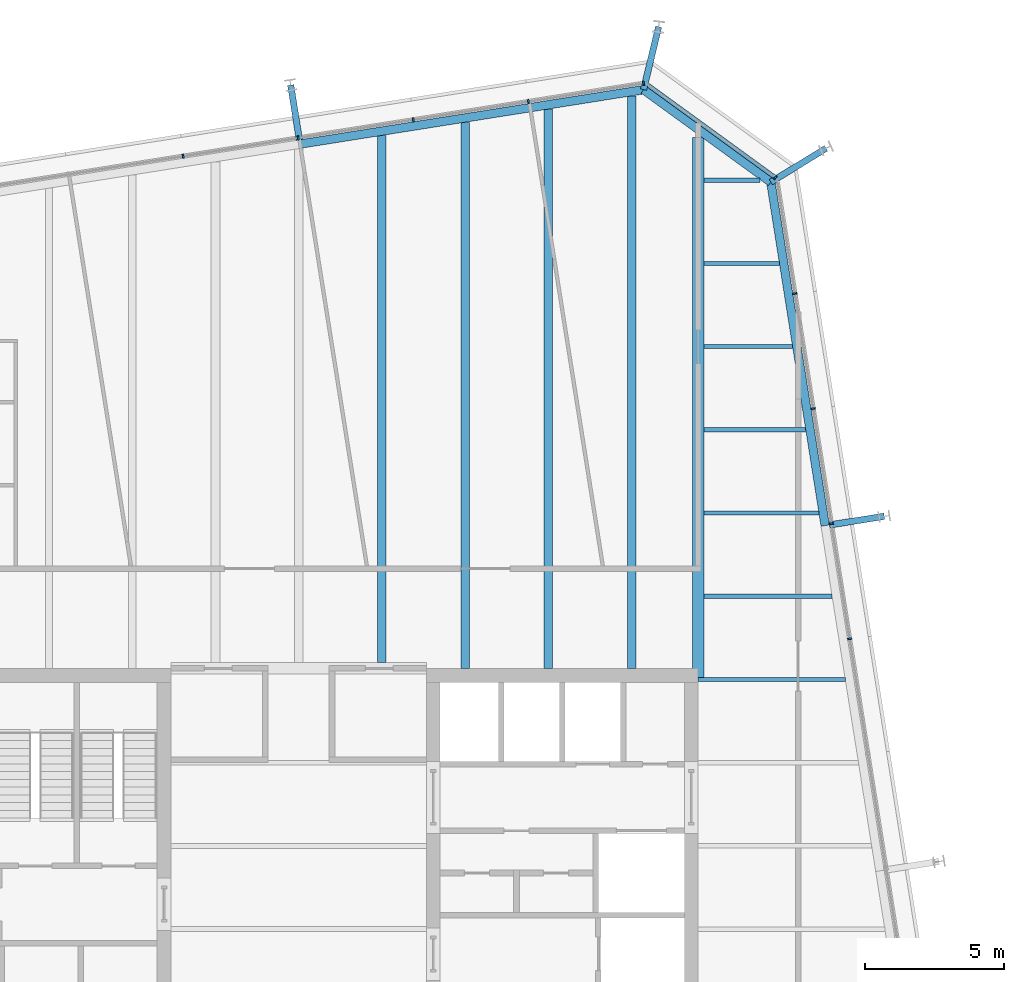
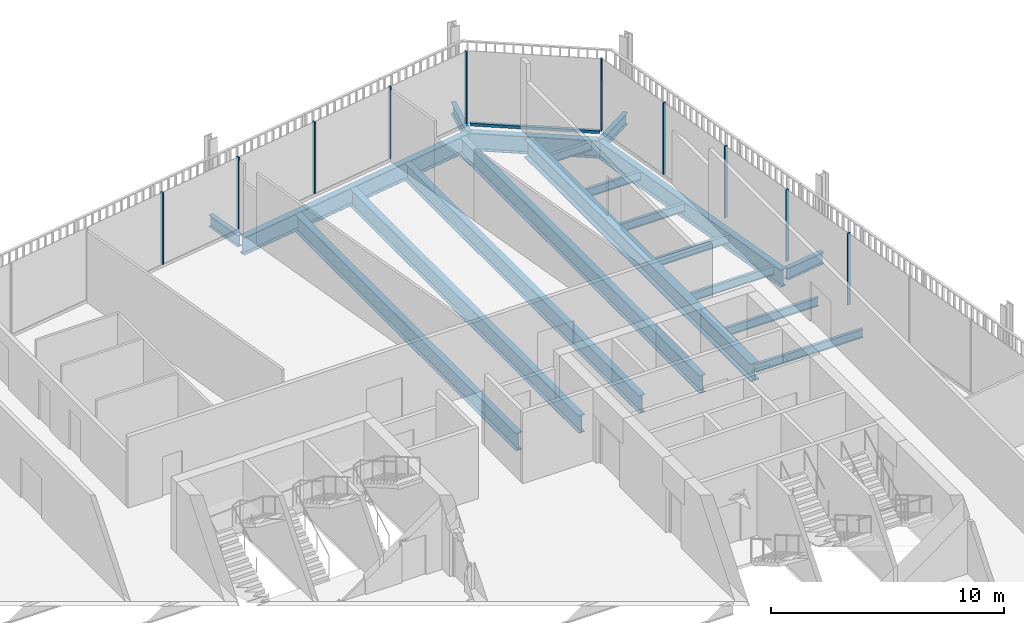
# One storey, part 14 of 20: 19 beams, 11 members, 3 elements without a shape of their own.
"""IFC4 building model written with IfcOpenShell, lengths in metres."""

from ifc_helpers import new_model, si_unit, direction, frame, origin, origin_2d, place, context, subcontext, project, spatial, rectangle, i_section, extrude, material, layer, layer_set, material_profile, profile_set, type_object, element, aggregate, save


model = new_model("IFC4")

# Units and contexts
model_context = context("Model", 3, precision=1e-05, world=origin(), true_north=direction((0.0, 1.0)))
body_context = subcontext(model_context, "Body", "Model", "MODEL_VIEW")
ifc_project = project(units=[si_unit("LENGTHUNIT", "METRE"), si_unit("AREAUNIT", "SQUARE_METRE"), si_unit("VOLUMEUNIT", "CUBIC_METRE"), si_unit("PLANEANGLEUNIT", "RADIAN"), si_unit("MASSUNIT", "GRAM", prefix="KILO")], contexts=[model_context])

# Site, building, storey
site_placement = place(None, origin())
site = spatial("IfcSite", under=ifc_project, at=site_placement, CompositionType="ELEMENT")
building_placement = place(site_placement, origin())
building = spatial("IfcBuilding", under=site, at=building_placement, Name="Millrace Tower", CompositionType="ELEMENT")
storey_placement = place(building_placement, frame((0.0, 0.0, 216.39990234375)))
storey = spatial("IfcBuildingStorey", under=building, at=storey_placement, Name="L49", CompositionType="ELEMENT", Elevation=216.39990234375)

# Curtain wall, members
ifc_material_1 = material(Name="Aluminium and glass", Category="aluminium")
ifc_layer = layer(ifc_material_1, 0.14990234375)
ifc_layer_set = layer_set([ifc_layer], Name="Aluminium and glass")
curtain_wall_type = type_object("IfcCurtainWallType", Name="CW-1 office vision curtain wall", PredefinedType="NOTDEFINED", material=ifc_layer_set)
placement = place(storey_placement, origin())
curtain_wall_1 = element("IfcCurtainWall", 1, at=placement, inside=storey, type_object=curtain_wall_type, Name="Curtain wall D-F04 L49", PredefinedType="NOTDEFINED")
ifc_material_2 = material(Name="Aluminium", Category="aluminium")
ifc_material_profile_1 = material_profile(ifc_material_2, rectangle(XDim=0.06494140625, YDim=0.14990234375, at=origin_2d()))
ifc_profile_set_1 = profile_set([ifc_material_profile_1], Name="Aluminium")
member_type_1 = type_object("IfcMemberType", Name="CW-1 office vision curtain wall mullion", PredefinedType="MULLION", material=ifc_profile_set_1)
member_1_placement = place(storey_placement, frame((19.857421875, 10.466064453125, 0.14013671875), z_axis=(0.0, 0.0, 1.0), x_axis=(-0.156434471884, 0.987688339511, 0.0)))
member_1 = element("IfcMember", 2, at=member_1_placement, type_object=member_type_1, Name="CW1 mullion D-F04.6", PredefinedType="MULLION", context=body_context, shape_type="SweptSolid", body=[
    extrude(rectangle(XDim=0.06494140625, YDim=0.14990234375, at=origin_2d()), origin(), (0.0, 0.0, 1.0), 3.760009765625),
])
member_2_placement = place(storey_placement, frame((19.2001953125, 14.6142578125, 0.14013671875), z_axis=(0.0, 0.0, 1.0), x_axis=(-0.156434471884, 0.987688339511, 0.0)))
member_2 = element("IfcMember", 3, at=member_2_placement, type_object=member_type_1, Name="CW1 mullion D-F04.7", PredefinedType="MULLION", context=body_context, shape_type="SweptSolid", body=[
    extrude(rectangle(XDim=0.06494140625, YDim=0.14990234375, at=origin_2d()), origin(), (0.0, 0.0, 1.0), 3.760009765625),
])
member_3_placement = place(storey_placement, frame((18.543212890625, 18.762451171875, 0.14013671875), z_axis=(0.0, 0.0, 1.0), x_axis=(-0.156434471884, 0.987688339511, 0.0)))
member_3 = element("IfcMember", 4, at=member_3_placement, type_object=member_type_1, Name="CW1 mullion D-F04.8", PredefinedType="MULLION", context=body_context, shape_type="SweptSolid", body=[
    extrude(rectangle(XDim=0.06494140625, YDim=0.14990234375, at=origin_2d()), origin(), (0.0, 0.0, 1.0), 3.760009765625),
])
member_4_placement = place(storey_placement, frame((17.88623046875, 22.910888671875, 0.14013671875), z_axis=(0.0, 0.0, 1.0), x_axis=(-0.156434471884, 0.987688339511, 0.0)))
member_4 = element("IfcMember", 5, at=member_4_placement, type_object=member_type_1, Name="CW1 mullion D-F04.9", PredefinedType="MULLION", context=body_context, shape_type="SweptSolid", body=[
    extrude(rectangle(XDim=0.06494140625, YDim=0.14990234375, at=origin_2d()), origin(), (0.0, 0.0, 1.0), 3.760009765625),
])
aggregate(curtain_wall_1, [member_1, member_2, member_3, member_4])

# Curtain wall, member
curtain_wall_2 = element("IfcCurtainWall", 6, at=placement, inside=storey, type_object=curtain_wall_type, Name="Curtain wall D-F05 L49", PredefinedType="NOTDEFINED")
member_5_placement = place(storey_placement, frame((17.177978515625, 27.094970703125, 0.14013671875), z_axis=(0.0, 0.0, 1.0), x_axis=(-0.809016955361, 0.587785305991, 0.0)))
member_5 = element("IfcMember", 7, at=member_5_placement, type_object=member_type_1, Name="CW1 mullion D-F05.1", PredefinedType="MULLION", context=body_context, shape_type="SweptSolid", body=[
    extrude(rectangle(XDim=0.06494140625, YDim=0.14990234375, at=origin_2d()), origin(), (0.0, 0.0, 1.0), 3.760009765625),
])

# Curtain wall, members
curtain_wall_3 = element("IfcCurtainWall", 8, at=placement, inside=storey, type_object=curtain_wall_type, Name="Curtain wall D-F06 L49", PredefinedType="NOTDEFINED")
member_6_placement = place(storey_placement, frame((12.425537109375, 30.492431640625, 0.14013671875), z_axis=(0.0, 0.0, 1.0), x_axis=(-0.987688339511, -0.156434471884, 0.0)))
member_6 = element("IfcMember", 9, at=member_6_placement, type_object=member_type_1, Name="CW1 mullion D-F06.1", PredefinedType="MULLION", context=body_context, shape_type="SweptSolid", body=[
    extrude(rectangle(XDim=0.06494140625, YDim=0.14990234375, at=origin_2d()), origin(), (0.0, 0.0, 1.0), 3.760009765625),
])
member_7_placement = place(storey_placement, frame((8.277099609375, 29.83544921875, 0.14013671875), z_axis=(0.0, 0.0, 1.0), x_axis=(-0.987688339511, -0.156434471884, 0.0)))
member_7 = element("IfcMember", 10, at=member_7_placement, type_object=member_type_1, Name="CW1 mullion D-F06.2", PredefinedType="MULLION", context=body_context, shape_type="SweptSolid", body=[
    extrude(rectangle(XDim=0.06494140625, YDim=0.14990234375, at=origin_2d()), origin(), (0.0, 0.0, 1.0), 3.760009765625),
])
member_8_placement = place(storey_placement, frame((4.12890625, 29.178466796875, 0.14013671875), z_axis=(0.0, 0.0, 1.0), x_axis=(-0.987688339511, -0.156434471884, 0.0)))
member_8 = element("IfcMember", 11, at=member_8_placement, type_object=member_type_1, Name="CW1 mullion D-F06.3", PredefinedType="MULLION", context=body_context, shape_type="SweptSolid", body=[
    extrude(rectangle(XDim=0.06494140625, YDim=0.14990234375, at=origin_2d()), origin(), (0.0, 0.0, 1.0), 3.760009765625),
])
member_9_placement = place(storey_placement, frame((-0.019287109375, 28.521240234375, 0.14013671875), z_axis=(0.0, 0.0, 1.0), x_axis=(-0.987688339511, -0.156434471884, 0.0)))
member_9 = element("IfcMember", 12, at=member_9_placement, type_object=member_type_1, Name="CW1 mullion D-F06.4", PredefinedType="MULLION", context=body_context, shape_type="SweptSolid", body=[
    extrude(rectangle(XDim=0.06494140625, YDim=0.14990234375, at=origin_2d()), origin(), (0.0, 0.0, 1.0), 3.760009765625),
])
member_10_placement = place(storey_placement, frame((-4.167724609375, 27.8642578125, 0.14013671875), z_axis=(0.0, 0.0, 1.0), x_axis=(-0.987688339511, -0.156434471884, 0.0)))
member_10 = element("IfcMember", 13, at=member_10_placement, type_object=member_type_1, Name="CW1 mullion D-F06.5", PredefinedType="MULLION", context=body_context, shape_type="SweptSolid", body=[
    extrude(rectangle(XDim=0.06494140625, YDim=0.14990234375, at=origin_2d()), origin(), (0.0, 0.0, 1.0), 3.760009765625),
])
aggregate(curtain_wall_3, [member_6, member_7, member_8, member_9, member_10])

# Member
ifc_material_3 = material(Name="Aluminium", Category="aluminium")
ifc_material_profile_2 = material_profile(ifc_material_3, rectangle(XDim=0.14990234375, YDim=0.139892578125, at=origin_2d()))
ifc_profile_set_2 = profile_set([ifc_material_profile_2], Name="Aluminium")
member_type_2 = type_object("IfcMemberType", Name="CW-1 office vision curtain wall transom", PredefinedType="USERDEFINED", material=ifc_profile_set_2)
member_11_placement = place(storey_placement, frame((17.123291015625, 27.134765625, 0.070068359375), z_axis=(-0.809018869857, 0.587782670904, 0.0), x_axis=(-0.587782670904, -0.809018869857, 0.0)))
member_11 = element("IfcMember", 14, at=member_11_placement, type_object=member_type_2, Name="CW1 transom D-F05.1", ObjectType="TRANSOM", PredefinedType="USERDEFINED", context=body_context, shape_type="SweptSolid", body=[
    extrude(rectangle(XDim=0.14990234375, YDim=0.139892578125, at=origin_2d()), origin(), (0.0, 0.0, 1.0), 5.59814453125),
])

aggregate(curtain_wall_2, [member_5, member_11])

# Beams
ifc_material_4 = material(Name="Steel ASTM A992 Grade 50", Category="steel")
ifc_material_profile_3 = material_profile(ifc_material_4, i_section(OverallWidth=0.15234375, OverallDepth=0.449462890625, WebThickness=0.007568359375, FlangeThickness=0.0107421875, FilletRadius=0.01025390625, at=origin_2d()))
ifc_profile_set_3 = profile_set([ifc_material_profile_3], Name="Steel ASTM A992 Grade 50")
beam_type_1 = type_object("IfcBeamType", Name="Floor beam W18x35", PredefinedType="JOIST", material=ifc_profile_set_3)
beam_1_placement = place(storey_placement, frame((14.39990234375, 9.0, -0.384765625), z_axis=(1.0, 0.0, 0.0), x_axis=(0.0, 1.0, 0.0)))
element("IfcBeam", 15, at=beam_1_placement, inside=storey, type_object=beam_type_1, Name="BM-D-L49-S1-S024", PredefinedType="JOIST", context=body_context, shape_type="SweptSolid", body=[
    extrude(i_section(OverallWidth=0.15234375, OverallDepth=0.449462890625, WebThickness=0.007568359375, FlangeThickness=0.0107421875, FilletRadius=0.01025390625, at=origin_2d()), origin(), (0.0, 0.0, 1.0), 5.302490234375),
])
beam_2_placement = place(storey_placement, frame((14.609619140625, 12.0, -0.384765625), z_axis=(1.0, 0.0, 0.0), x_axis=(0.0, 1.0, 0.0)))
element("IfcBeam", 16, at=beam_2_placement, inside=storey, type_object=beam_type_1, Name="BM-D-L49-S1-S026", PredefinedType="JOIST", context=body_context, shape_type="SweptSolid", body=[
    extrude(i_section(OverallWidth=0.15234375, OverallDepth=0.449462890625, WebThickness=0.007568359375, FlangeThickness=0.0107421875, FilletRadius=0.01025390625, at=origin_2d()), origin(), (0.0, 0.0, 1.0), 4.61767578125),
])
beam_3_placement = place(storey_placement, frame((14.609619140625, 15.0, -0.384765625), z_axis=(1.0, 0.0, 0.0), x_axis=(0.0, 1.0, 0.0)))
element("IfcBeam", 17, at=beam_3_placement, inside=storey, type_object=beam_type_1, Name="BM-D-L49-S1-S028", PredefinedType="JOIST", context=body_context, shape_type="SweptSolid", body=[
    extrude(i_section(OverallWidth=0.15234375, OverallDepth=0.449462890625, WebThickness=0.007568359375, FlangeThickness=0.0107421875, FilletRadius=0.01025390625, at=origin_2d()), origin(), (0.0, 0.0, 1.0), 4.142578125),
])
beam_4_placement = place(storey_placement, frame((14.609619140625, 18.0, -0.384765625), z_axis=(1.0, 0.0, 0.0), x_axis=(0.0, 1.0, 0.0)))
element("IfcBeam", 18, at=beam_4_placement, inside=storey, type_object=beam_type_1, Name="BM-D-L49-S1-S030", PredefinedType="JOIST", context=body_context, shape_type="SweptSolid", body=[
    extrude(i_section(OverallWidth=0.15234375, OverallDepth=0.449462890625, WebThickness=0.007568359375, FlangeThickness=0.0107421875, FilletRadius=0.01025390625, at=origin_2d()), origin(), (0.0, 0.0, 1.0), 3.667236328125),
])
beam_5_placement = place(storey_placement, frame((14.609619140625, 21.0, -0.384765625), z_axis=(1.0, 0.0, 0.0), x_axis=(0.0, 1.0, 0.0)))
element("IfcBeam", 19, at=beam_5_placement, inside=storey, type_object=beam_type_1, Name="BM-D-L49-S1-S032", PredefinedType="JOIST", context=body_context, shape_type="SweptSolid", body=[
    extrude(i_section(OverallWidth=0.15234375, OverallDepth=0.449462890625, WebThickness=0.007568359375, FlangeThickness=0.0107421875, FilletRadius=0.01025390625, at=origin_2d()), origin(), (0.0, 0.0, 1.0), 3.192138671875),
])
beam_6_placement = place(storey_placement, frame((14.609619140625, 24.0, -0.384765625), z_axis=(1.0, 0.0, 0.0), x_axis=(0.0, 1.0, 0.0)))
element("IfcBeam", 20, at=beam_6_placement, inside=storey, type_object=beam_type_1, Name="BM-D-L49-S1-S034", PredefinedType="JOIST", context=body_context, shape_type="SweptSolid", body=[
    extrude(i_section(OverallWidth=0.15234375, OverallDepth=0.449462890625, WebThickness=0.007568359375, FlangeThickness=0.0107421875, FilletRadius=0.01025390625, at=origin_2d()), origin(), (0.0, 0.0, 1.0), 2.717041015625),
])
beam_7_placement = place(storey_placement, frame((14.609619140625, 27.0, -0.384765625), z_axis=(1.0, 0.0, 0.0), x_axis=(0.0, 1.0, 0.0)))
element("IfcBeam", 21, at=beam_7_placement, inside=storey, type_object=beam_type_1, Name="BM-D-L49-S1-S035", PredefinedType="JOIST", context=body_context, shape_type="SweptSolid", body=[
    extrude(i_section(OverallWidth=0.15234375, OverallDepth=0.449462890625, WebThickness=0.007568359375, FlangeThickness=0.0107421875, FilletRadius=0.01025390625, at=origin_2d()), origin(), (0.0, 0.0, 1.0), 2.020751953125),
])
ifc_material_5 = material(Name="Steel ASTM A992 Grade 50", Category="steel")
ifc_material_profile_4 = material_profile(ifc_material_5, i_section(OverallWidth=0.307373046875, OverallDepth=0.927001953125, WebThickness=0.01953125, FlangeThickness=0.031982421875, FilletRadius=0.01904296875, at=origin_2d()))
ifc_profile_set_4 = profile_set([ifc_material_profile_4], Name="Steel ASTM A992 Grade 50")
beam_type_2 = type_object("IfcBeamType", Name="Floor beam W36x194", PredefinedType="JOIST", material=ifc_profile_set_4)
beam_8_placement = place(storey_placement, frame((3.0, 9.609619140625, -0.62353515625), z_axis=(0.0, 1.0, 0.0), x_axis=(-1.0, 0.0, 0.0)))
element("IfcBeam", 22, at=beam_8_placement, inside=storey, type_object=beam_type_2, Name="BM-D-L49-S1-S046", PredefinedType="JOIST", context=body_context, shape_type="SweptSolid", body=[
    extrude(i_section(OverallWidth=0.307373046875, OverallDepth=0.927001953125, WebThickness=0.01953125, FlangeThickness=0.031982421875, FilletRadius=0.01904296875, at=origin_2d()), origin(), (0.0, 0.0, 1.0), 19.0029296875),
])
beam_9_placement = place(storey_placement, frame((6.0, 9.39990234375, -0.62353515625), z_axis=(0.0, 1.0, 0.0), x_axis=(-1.0, 0.0, 0.0)))
element("IfcBeam", 23, at=beam_9_placement, inside=storey, type_object=beam_type_2, Name="BM-D-L49-S1-S048", PredefinedType="JOIST", context=body_context, shape_type="SweptSolid", body=[
    extrude(i_section(OverallWidth=0.307373046875, OverallDepth=0.927001953125, WebThickness=0.01953125, FlangeThickness=0.031982421875, FilletRadius=0.01904296875, at=origin_2d()), origin(), (0.0, 0.0, 1.0), 19.687744140625),
])
beam_10_placement = place(storey_placement, frame((9.0, 9.39990234375, -0.62353515625), z_axis=(0.0, 1.0, 0.0), x_axis=(-1.0, 0.0, 0.0)))
element("IfcBeam", 24, at=beam_10_placement, inside=storey, type_object=beam_type_2, Name="BM-D-L49-S1-S050", PredefinedType="JOIST", context=body_context, shape_type="SweptSolid", body=[
    extrude(i_section(OverallWidth=0.307373046875, OverallDepth=0.927001953125, WebThickness=0.01953125, FlangeThickness=0.031982421875, FilletRadius=0.01904296875, at=origin_2d()), origin(), (0.0, 0.0, 1.0), 20.162841796875),
])
beam_11_placement = place(storey_placement, frame((12.0, 9.39990234375, -0.62353515625), z_axis=(0.0, 1.0, 0.0), x_axis=(-1.0, 0.0, 0.0)))
element("IfcBeam", 25, at=beam_11_placement, inside=storey, type_object=beam_type_2, Name="BM-D-L49-S1-S052", PredefinedType="JOIST", context=body_context, shape_type="SweptSolid", body=[
    extrude(i_section(OverallWidth=0.307373046875, OverallDepth=0.927001953125, WebThickness=0.01953125, FlangeThickness=0.031982421875, FilletRadius=0.01904296875, at=origin_2d()), origin(), (0.0, 0.0, 1.0), 20.637939453125),
])
ifc_material_6 = material(Name="Steel ASTM A992 Grade 50", Category="steel")
ifc_material_profile_5 = material_profile(ifc_material_6, i_section(OverallWidth=0.424072265625, OverallDepth=0.947509765625, WebThickness=0.02392578125, FlangeThickness=0.042724609375, FilletRadius=0.024169921875, at=origin_2d()))
ifc_profile_set_5 = profile_set([ifc_material_profile_5], Name="Steel ASTM A992 Grade 50")
beam_type_3 = type_object("IfcBeamType", Name="Girder medium span W36x302", PredefinedType="BEAM", material=ifc_profile_set_5)
beam_12_placement = place(storey_placement, frame((14.39990234375, 9.080078125, -0.633544921875), z_axis=(0.0, 1.0, 0.0), x_axis=(-1.0, 0.0, 0.0)))
element("IfcBeam", 26, at=beam_12_placement, inside=storey, type_object=beam_type_3, Name="BM-D-L49-S1-G056", PredefinedType="BEAM", context=body_context, shape_type="SweptSolid", body=[
    extrude(i_section(OverallWidth=0.424072265625, OverallDepth=0.947509765625, WebThickness=0.02392578125, FlangeThickness=0.042724609375, FilletRadius=0.024169921875, at=origin_2d()), origin(), (0.0, 0.0, 1.0), 19.460693359375),
])
ifc_material_7 = material(Name="Steel ASTM A992 Grade 50", Category="steel")
ifc_material_profile_6 = material_profile(ifc_material_7, i_section(OverallWidth=0.23046875, OverallDepth=0.6171875, WebThickness=0.01318359375, FlangeThickness=0.022216796875, FilletRadius=0.012939453125, at=origin_2d()))
ifc_profile_set_6 = profile_set([ifc_material_profile_6], Name="Steel ASTM A992 Grade 50")
beam_type_4 = type_object("IfcBeamType", Name="Link beam W24x94", PredefinedType="BEAM", material=ifc_profile_set_6)
beam_13_placement = place(storey_placement, frame((0.0244140625, 28.452392578125, -0.468505859375), z_axis=(-0.15637629034, 0.987697552806, 0.0), x_axis=(-0.987697552806, -0.15637629034, 0.0)))
element("IfcBeam", 27, at=beam_13_placement, inside=storey, type_object=beam_type_4, Name="LNK-D-L49-S1-07", PredefinedType="BEAM", context=body_context, shape_type="SweptSolid", body=[
    extrude(i_section(OverallWidth=0.23046875, OverallDepth=0.6171875, WebThickness=0.01318359375, FlangeThickness=0.022216796875, FilletRadius=0.012939453125, at=origin_2d()), origin(), (0.0, 0.0, 1.0), 2.0),
])
beam_14_placement = place(storey_placement, frame((12.430419921875, 30.26171875, -0.468505859375), z_axis=(0.233456138164, 0.972367333652, 0.0), x_axis=(-0.972367333652, 0.233456138164, 0.0)))
element("IfcBeam", 28, at=beam_14_placement, inside=storey, type_object=beam_type_4, Name="LNK-D-L49-S1-08", PredefinedType="BEAM", context=body_context, shape_type="SweptSolid", body=[
    extrude(i_section(OverallWidth=0.23046875, OverallDepth=0.6171875, WebThickness=0.01318359375, FlangeThickness=0.022216796875, FilletRadius=0.012939453125, at=origin_2d()), origin(), (0.0, 0.0, 1.0), 2.3310546875),
])
beam_15_placement = place(storey_placement, frame((17.018310546875, 26.928466796875, -0.468505859375), z_axis=(0.852659946142, 0.5224662824, 0.0), x_axis=(-0.5224662824, 0.852659946142, 0.0)))
element("IfcBeam", 29, at=beam_15_placement, inside=storey, type_object=beam_type_4, Name="LNK-D-L49-S1-09", PredefinedType="BEAM", context=body_context, shape_type="SweptSolid", body=[
    extrude(i_section(OverallWidth=0.23046875, OverallDepth=0.6171875, WebThickness=0.01318359375, FlangeThickness=0.022216796875, FilletRadius=0.012939453125, at=origin_2d()), origin(), (0.0, 0.0, 1.0), 2.331298828125),
])
beam_16_placement = place(storey_placement, frame((19.13134765625, 14.5703125, -0.468505859375), z_axis=(0.987678691416, 0.156495375404, 0.0), x_axis=(-0.156495375404, 0.987678691416, 0.0)))
element("IfcBeam", 30, at=beam_16_placement, inside=storey, type_object=beam_type_4, Name="LNK-D-L49-S1-10", PredefinedType="BEAM", context=body_context, shape_type="SweptSolid", body=[
    extrude(i_section(OverallWidth=0.23046875, OverallDepth=0.6171875, WebThickness=0.01318359375, FlangeThickness=0.022216796875, FilletRadius=0.012939453125, at=origin_2d()), origin(), (0.0, 0.0, 1.0), 2.0),
])
ifc_material_8 = material(Name="Steel ASTM A992 Grade 50", Category="steel")
ifc_material_profile_7 = material_profile(ifc_material_8, i_section(OverallWidth=0.307373046875, OverallDepth=0.927001953125, WebThickness=0.01953125, FlangeThickness=0.031982421875, FilletRadius=0.01904296875, at=origin_2d()))
ifc_profile_set_7 = profile_set([ifc_material_profile_7], Name="Steel ASTM A992 Grade 50")
beam_type_5 = type_object("IfcBeamType", Name="Ring beam medium span W36x194", PredefinedType="SPANDREL", material=ifc_profile_set_7)
beam_17_placement = place(storey_placement, frame((0.048583984375, 28.300537109375, -0.62353515625), z_axis=(0.987687213011, 0.156441584157, 0.0), x_axis=(-0.156441584157, 0.987687213011, 0.0)))
element("IfcBeam", 31, at=beam_17_placement, inside=storey, type_object=beam_type_5, Name="RNG-D-L49-S1-07", PredefinedType="SPANDREL", context=body_context, shape_type="SweptSolid", body=[
    extrude(i_section(OverallWidth=0.307373046875, OverallDepth=0.927001953125, WebThickness=0.01953125, FlangeThickness=0.031982421875, FilletRadius=0.01904296875, at=origin_2d()), origin(), (0.0, 0.0, 1.0), 12.5361328125),
])
beam_18_placement = place(storey_placement, frame((17.018310546875, 26.928466796875, -0.62353515625), z_axis=(0.156438575049, -0.987687689625, 0.0), x_axis=(0.987687689625, 0.156438575049, 0.0)))
element("IfcBeam", 32, at=beam_18_placement, inside=storey, type_object=beam_type_5, Name="RNG-D-L49-S1-09", PredefinedType="SPANDREL", context=body_context, shape_type="SweptSolid", body=[
    extrude(i_section(OverallWidth=0.307373046875, OverallDepth=0.927001953125, WebThickness=0.01953125, FlangeThickness=0.031982421875, FilletRadius=0.01904296875, at=origin_2d()), origin(), (0.0, 0.0, 1.0), 12.536376953125),
])
ifc_material_9 = material(Name="Steel ASTM A992 Grade 50", Category="steel")
ifc_material_profile_8 = material_profile(ifc_material_9, i_section(OverallWidth=0.307373046875, OverallDepth=0.927001953125, WebThickness=0.01953125, FlangeThickness=0.031982421875, FilletRadius=0.01904296875, at=origin_2d()))
ifc_profile_set_8 = profile_set([ifc_material_profile_8], Name="Steel ASTM A992 Grade 50")
beam_type_6 = type_object("IfcBeamType", Name="Ring beam short span W36x194", PredefinedType="SPANDREL", material=ifc_profile_set_8)
beam_19_placement = place(storey_placement, frame((12.430419921875, 30.26171875, -0.62353515625), z_axis=(0.80902082646, -0.587779977844, 0.0), x_axis=(0.587779977844, 0.80902082646, 0.0)))
element("IfcBeam", 33, at=beam_19_placement, inside=storey, type_object=beam_type_6, Name="RNG-D-L49-S1-08", PredefinedType="SPANDREL", context=body_context, shape_type="SweptSolid", body=[
    extrude(i_section(OverallWidth=0.307373046875, OverallDepth=0.927001953125, WebThickness=0.01953125, FlangeThickness=0.031982421875, FilletRadius=0.01904296875, at=origin_2d()), origin(), (0.0, 0.0, 1.0), 5.6708984375),
])

save(model, "model.ifc")
